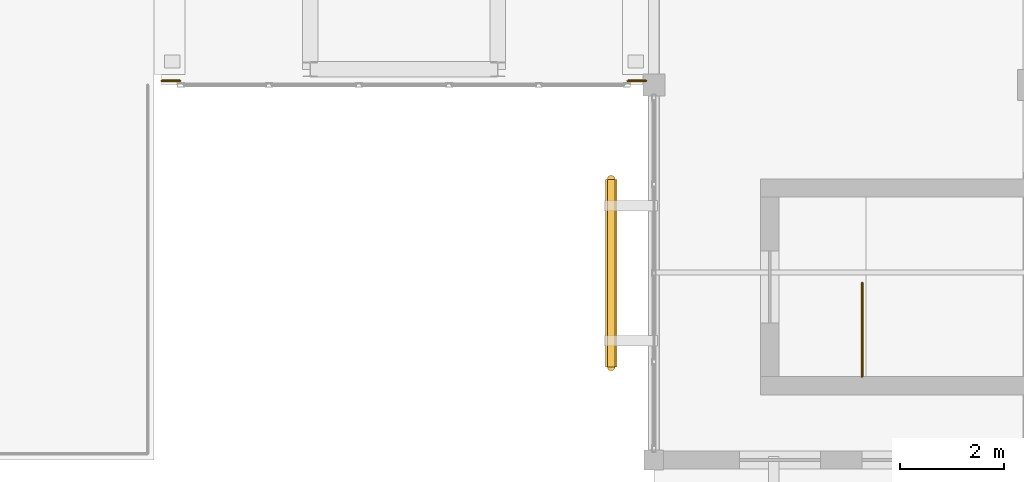
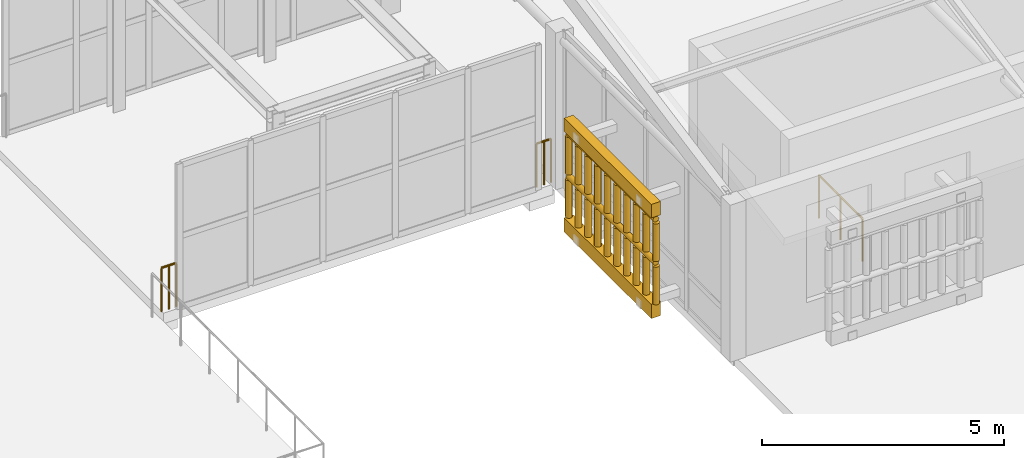
# One storey, part 101 of 112: 5 railings, 2 coverings.
"""IFC4 building model written with IfcOpenShell, lengths in metres."""

from ifc_helpers import new_model, si_unit, direction, frame, origin, origin_2d, place, context, subcontext, project, spatial, polyline, circle, outline, extrude, material, layer, layer_set, type_object, element, save


model = new_model("IFC4")

# Units and contexts
model_context = context("Model", 3, precision=1e-05, world=origin(), true_north=direction((0.0, 1.0)))
body_context = subcontext(model_context, "Body", "Model", "MODEL_VIEW")
ifc_project = project(units=[si_unit("LENGTHUNIT", "METRE"), si_unit("AREAUNIT", "SQUARE_METRE"), si_unit("VOLUMEUNIT", "CUBIC_METRE"), si_unit("PLANEANGLEUNIT", "RADIAN"), si_unit("MASSUNIT", "GRAM", prefix="KILO")], contexts=[model_context])

# Site, building, storey
site_placement = place(None, origin())
site = spatial("IfcSite", under=ifc_project, at=site_placement, CompositionType="ELEMENT")
building_placement = place(site_placement, origin())
building = spatial("IfcBuilding", under=site, at=building_placement, Name="Mazaris Harbour Polytechnic", CompositionType="ELEMENT")
storey_placement = place(building_placement, frame((0.0, 0.0, 13.800048828125)))
storey = spatial("IfcBuildingStorey", under=building, at=storey_placement, Name="L03", CompositionType="ELEMENT", Elevation=13.800048828125)

# Railings
ifc_material_1 = material(Name="Steel S355", Category="steel")
railing_type_1 = type_object("IfcRailingType", Name="Mezzanine Steel Guardrail 1100 Exterior", PredefinedType="GUARDRAIL", material=ifc_material_1)
for number, where, name in (
    (1, (112.949951171875, 21.679931640625, 0.0), "PB-E1 L03 Bridge End Guard W0"),
    (2, (121.89990234375, 21.679931640625, 0.0), "PB-E1 L03 Bridge End Guard E0"),
):
    element("IfcRailing", number, at=place(storey_placement, frame(where)), inside=storey, type_object=railing_type_1, Name=name, PredefinedType="GUARDRAIL", context=body_context, shape_type="SweptSolid", body=[
        extrude(circle(Radius=0.02392578125, at=origin_2d()), frame((0.0, 0.0, 1.09619140625), z_axis=(1.0, 0.0, 0.0), x_axis=(0.0, 1.0, 0.0)), (0.0, 0.0, 1.0), 0.35009765625),
        extrude(circle(Radius=0.02099609375, at=origin_2d()), origin(), (0.0, 0.0, 1.0), 1.072021484375),
        extrude(circle(Radius=0.02099609375, at=origin_2d()), frame((0.175048828125, 0.0, 0.0)), (0.0, 0.0, 1.0), 1.072021484375),
        extrude(circle(Radius=0.02099609375, at=origin_2d()), frame((0.35009765625, 0.0, 0.0)), (0.0, 0.0, 1.0), 1.072021484375),
    ])
ifc_material_2 = material(Name="Perforated Earth-Coloured Terracotta Block", Category="masonry")
railing_type_2 = type_object("IfcRailingType", Name="Perforated Earth-Block Claustra Lattice 1040", PredefinedType="BALUSTRADE", material=ifc_material_2)
for number, where, name in (
    (3, (121.580078125, 16.18994140625, 0.52001953125), "V2 L03 Lower Perforated Terracotta Block Screen 100"),
    (4, (121.580078125, 16.18994140625, 1.60986328125), "V2 L03 Upper Perforated Terracotta Block Screen 100"),
):
    element("IfcRailing", number, at=place(storey_placement, frame(where)), inside=storey, type_object=railing_type_2, Name=name, PredefinedType="BALUSTRADE", context=body_context, shape_type="SweptSolid", body=[
        extrude(circle(Radius=0.06982421875, at=origin_2d()), frame((0.0, 0.0, 1.02001953125), z_axis=(0.0, 1.0, 0.0), x_axis=(-1.0, 0.0, 0.0)), (0.0, 0.0, 1.0), 3.60009765625),
        extrude(circle(Radius=0.074951171875, at=origin_2d()), origin(), (0.0, 0.0, 1.0), 0.9501953125),
        extrude(circle(Radius=0.074951171875, at=origin_2d()), frame((0.0, 0.39990234375, 0.0)), (0.0, 0.0, 1.0), 0.9501953125),
        extrude(circle(Radius=0.074951171875, at=origin_2d()), frame((0.0, 0.800048828125, 0.0)), (0.0, 0.0, 1.0), 0.9501953125),
        extrude(circle(Radius=0.074951171875, at=origin_2d()), frame((0.0, 1.199951171875, 0.0)), (0.0, 0.0, 1.0), 0.9501953125),
        extrude(circle(Radius=0.074951171875, at=origin_2d()), frame((0.0, 1.60009765625, 0.0)), (0.0, 0.0, 1.0), 0.9501953125),
        extrude(circle(Radius=0.074951171875, at=origin_2d()), frame((0.0, 2.0, 0.0)), (0.0, 0.0, 1.0), 0.9501953125),
        extrude(circle(Radius=0.074951171875, at=origin_2d()), frame((0.0, 2.400146484375, 0.0)), (0.0, 0.0, 1.0), 0.9501953125),
        extrude(circle(Radius=0.074951171875, at=origin_2d()), frame((0.0, 2.800048828125, 0.0)), (0.0, 0.0, 1.0), 0.9501953125),
        extrude(circle(Radius=0.074951171875, at=origin_2d()), frame((0.0, 3.2001953125, 0.0)), (0.0, 0.0, 1.0), 0.9501953125),
        extrude(circle(Radius=0.074951171875, at=origin_2d()), frame((0.0, 3.60009765625, 0.0)), (0.0, 0.0, 1.0), 0.9501953125),
    ])
ifc_material_3 = material(Name="Steel S355", Category="steel")
railing_type_3 = type_object("IfcRailingType", Name="Stair Well Guardrail 1100", PredefinedType="GUARDRAIL", material=ifc_material_3)
railing_placement = place(storey_placement, frame((126.39990234375, 16.0, 0.0)))
element("IfcRailing", 5, at=railing_placement, inside=storey, type_object=railing_type_3, Name="L03 ST03 top well guard 1", PredefinedType="GUARDRAIL", context=body_context, shape_type="SweptSolid", body=[
    extrude(circle(Radius=0.02392578125, at=origin_2d()), frame((0.0, 0.0, 1.076171875), z_axis=(0.0, 1.0, 0.0), x_axis=(-1.0, 0.0, 0.0)), (0.0, 0.0, 1.0), 1.800048828125),
    extrude(circle(Radius=0.02099609375, at=origin_2d()), origin(), (0.0, 0.0, 1.0), 1.052001953125),
    extrude(circle(Radius=0.02099609375, at=origin_2d()), frame((0.0, 0.89990234375, 0.0)), (0.0, 0.0, 1.0), 1.052001953125),
    extrude(circle(Radius=0.02099609375, at=origin_2d()), frame((0.0, 1.800048828125, 0.0)), (0.0, 0.0, 1.0), 1.052001953125),
])

# Coverings
ifc_material_4 = material(Name="Perforated Earth-Coloured Terracotta Block", Category="masonry")
ifc_layer = layer(ifc_material_4, 0.219970703125, Name="Perforated Earth-Coloured Terracotta Block")
ifc_layer_set = layer_set([ifc_layer], Name="Perforated Earth-Coloured Terracotta Block")
covering_type = type_object("IfcCoveringType", Name="Terracotta Screen Course Cladding 220", PredefinedType="CLADDING", material=ifc_layer_set)
covering_1_placement = place(storey_placement, frame((0.0, 0.0, 0.159912109375)))
element("IfcCovering", 6, at=covering_1_placement, inside=storey, type_object=covering_type, Name="V2 L03 Perforated Screen Sill Course 100", PredefinedType="CLADDING", context=body_context, shape_type="SweptSolid", body=[
    extrude(outline(polyline([(121.68994140625, 16.18994140625), (121.68994140625, 19.7900390625), (121.469970703125, 19.7900390625), (121.469970703125, 16.18994140625), (121.68994140625, 16.18994140625)])), origin(), (0.0, 0.0, 1.0), 0.360107421875),
])
covering_2_placement = place(storey_placement, frame((0.0, 0.0, 2.699951171875)))
element("IfcCovering", 7, at=covering_2_placement, inside=storey, type_object=covering_type, Name="V2 L03 Perforated Screen Lintel Course 100", PredefinedType="CLADDING", context=body_context, shape_type="SweptSolid", body=[
    extrude(outline(polyline([(121.68994140625, 16.18994140625), (121.68994140625, 19.7900390625), (121.469970703125, 19.7900390625), (121.469970703125, 16.18994140625), (121.68994140625, 16.18994140625)])), origin(), (0.0, 0.0, 1.0), 0.340087890625),
])

save(model, "model.ifc")
